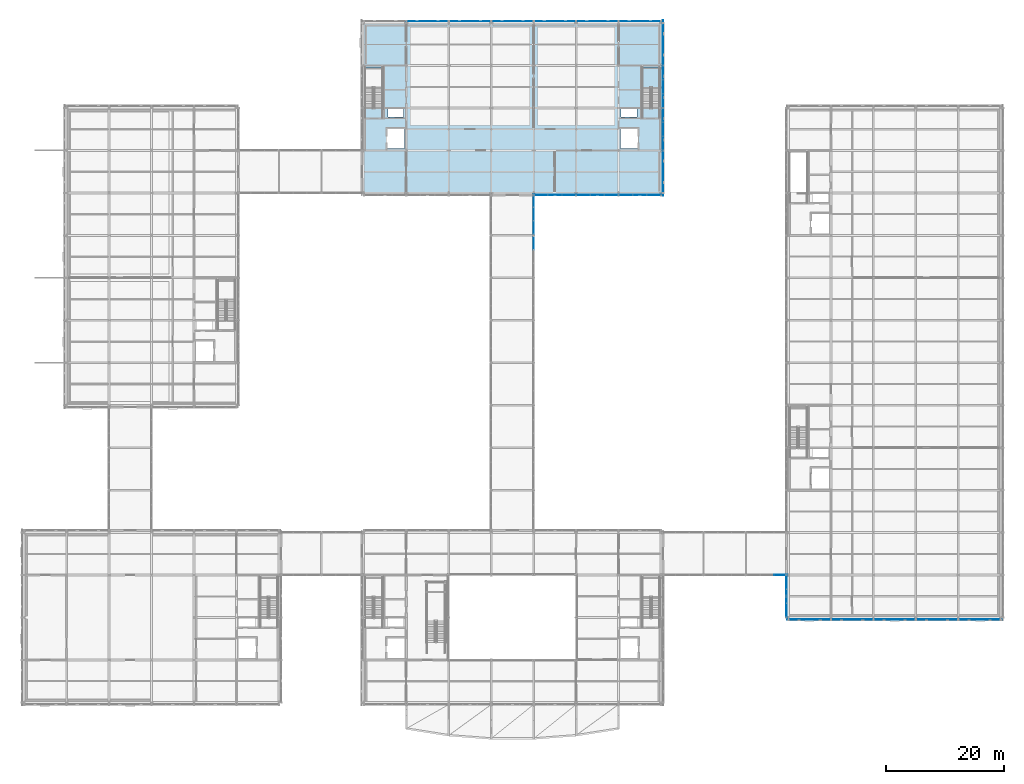
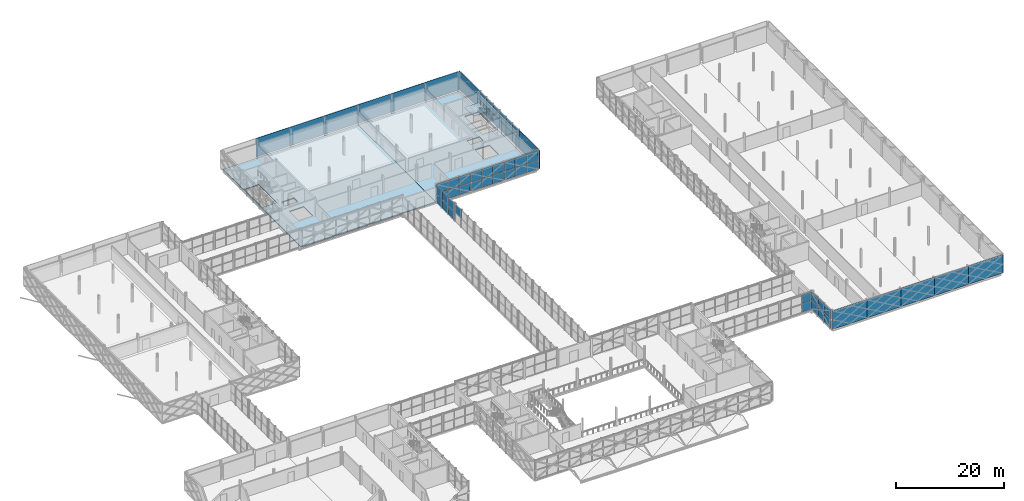
# One storey, part 94 of 146: 58 plates, 3 slabs, 10 elements without a shape of their own.
"""IFC4 building model written with IfcOpenShell, lengths in metres."""

from ifc_helpers import new_model, si_unit, direction, frame, origin, origin_2d, place, context, subcontext, project, spatial, polyline, rectangle, outline, extrude, material, layer, layer_set, type_object, element, aggregate, save


model = new_model("IFC4")

# Units and contexts
model_context = context("Model", 3, precision=1e-05, world=origin(), true_north=direction((0.0, 1.0)))
body_context = subcontext(model_context, "Body", "Model", "MODEL_VIEW")
ifc_project = project(units=[si_unit("LENGTHUNIT", "METRE"), si_unit("AREAUNIT", "SQUARE_METRE"), si_unit("VOLUMEUNIT", "CUBIC_METRE"), si_unit("PLANEANGLEUNIT", "RADIAN"), si_unit("MASSUNIT", "GRAM", prefix="KILO")], contexts=[model_context])

# Site, building, storey
site_placement = place(None, origin())
site = spatial("IfcSite", under=ifc_project, at=site_placement, CompositionType="ELEMENT")
building_placement = place(site_placement, origin())
building = spatial("IfcBuilding", under=site, at=building_placement, Name="Zlatovets Crest Museum", CompositionType="ELEMENT")
storey_placement = place(building_placement, frame((0.0, 0.0, 4.5)))
storey = spatial("IfcBuildingStorey", under=building, at=storey_placement, Name="L01", CompositionType="ELEMENT", Elevation=4.5)

# Curtain wall, plates
ifc_material_1 = material(Name="Bronze-anodised aluminium and low-E triple glass", Category="aluminium")
curtain_wall_type_1 = type_object("IfcCurtainWallType", Name="CW_CW-BR4-L01-S69", PredefinedType="NOTDEFINED", material=ifc_material_1)
curtain_wall_1_placement = place(storey_placement, origin())
curtain_wall_1 = element("IfcCurtainWall", 1, at=curtain_wall_1_placement, inside=storey, type_object=curtain_wall_type_1, Name="Southeast Archive Glazed Link Bridge L01 Glazed Bridge Curtain Wall", PredefinedType="NOTDEFINED")
ifc_material_2 = material(Name="Solar-control low-E laminated triple glass", Category="glass")
ifc_layer_1 = layer(ifc_material_2, 0.030029296875)
ifc_layer_set_1 = layer_set([ifc_layer_1], Name="Solar-control low-E laminated triple glass")
plate_type_1 = type_object("IfcPlateType", Name="CWPanel_CW-BR4-L01-S69", PredefinedType="CURTAIN_PANEL", material=ifc_layer_set_1)
plate_1_placement = place(storey_placement, frame((128.284912109375, 21.60009765625, 0.06005859375), z_axis=(0.0, 0.0, 1.0), x_axis=(1.0, 0.0, 0.0)))
plate_1 = element("IfcPlate", 2, at=plate_1_placement, type_object=plate_type_1, Name="CW-BR4-L01-S69 panel 3.1", PredefinedType="CURTAIN_PANEL", context=body_context, shape_type="SweptSolid", body=[
    extrude(rectangle(XDim=2.2099609375, YDim=0.030029296875, at=origin_2d()), origin(), (0.0, 0.0, 1.0), 1.89990234375),
])
plate_2_placement = place(storey_placement, frame((128.284912109375, 21.60009765625, 2.02001953125), z_axis=(0.0, 0.0, 1.0), x_axis=(1.0, 0.0, 0.0)))
plate_2 = element("IfcPlate", 3, at=plate_2_placement, type_object=plate_type_1, Name="CW-BR4-L01-S69 panel 3.2", PredefinedType="CURTAIN_PANEL", context=body_context, shape_type="SweptSolid", body=[
    extrude(rectangle(XDim=2.2099609375, YDim=0.030029296875, at=origin_2d()), origin(), (0.0, 0.0, 1.0), 1.89990234375),
])
aggregate(curtain_wall_1, [plate_1, plate_2])

# Curtain wall, plate
curtain_wall_type_2 = type_object("IfcCurtainWallType", Name="CW_CW-BR5-L01-S69", PredefinedType="NOTDEFINED", material=ifc_material_1)
curtain_wall_2_placement = place(storey_placement, origin())
curtain_wall_2 = element("IfcCurtainWall", 4, at=curtain_wall_2_placement, inside=storey, type_object=curtain_wall_type_2, Name="Central Sculpture Court Cloister and Skywalk L01 Glazed Bridge Curtain Wall", PredefinedType="NOTDEFINED")
ifc_layer_2 = layer(ifc_material_2, 0.030029296875)
ifc_layer_set_2 = layer_set([ifc_layer_2], Name="Solar-control low-E laminated triple glass")
plate_type_2 = type_object("IfcPlateType", Name="CWPanel_CW-BR5-L01-S69", PredefinedType="CURTAIN_PANEL", material=ifc_layer_set_2)
plate_3_placement = place(storey_placement, frame((86.39990234375, 77.885009765625, 2.02001953125), z_axis=(0.0, 0.0, 1.0), x_axis=(0.0, 1.0, 0.0)))
plate_3 = element("IfcPlate", 5, at=plate_3_placement, type_object=plate_type_2, Name="CW-BR5-L01-S69 panel 3.2", PredefinedType="CURTAIN_PANEL", context=body_context, shape_type="SweptSolid", body=[
    extrude(rectangle(XDim=2.2099609375, YDim=0.030029296875, at=origin_2d()), origin(), (0.0, 0.0, 1.0), 1.89990234375),
])
aggregate(curtain_wall_2, [plate_3])

# Curtain wall, plates
curtain_wall_3_placement = place(storey_placement, origin())
curtain_wall_3 = element("IfcCurtainWall", 6, at=curtain_wall_3_placement, inside=storey, type_object=curtain_wall_type_2, Name="Central Sculpture Court Cloister and Skywalk L01 Glazed Bridge Curtain Wall", PredefinedType="NOTDEFINED")
plate_4_placement = place(storey_placement, frame((86.39990234375, 80.514892578125, 0.06005859375), z_axis=(0.0, 0.0, 1.0), x_axis=(0.0, 1.0, 0.0)))
plate_4 = element("IfcPlate", 7, at=plate_4_placement, type_object=plate_type_2, Name="CW-BR5-L01-S69 panel 1.1", PredefinedType="CURTAIN_PANEL", context=body_context, shape_type="SweptSolid", body=[
    extrude(rectangle(XDim=2.2099609375, YDim=0.030029296875, at=origin_2d()), origin(), (0.0, 0.0, 1.0), 1.89990234375),
])
plate_5_placement = place(storey_placement, frame((86.39990234375, 80.514892578125, 2.02001953125), z_axis=(0.0, 0.0, 1.0), x_axis=(0.0, 1.0, 0.0)))
plate_5 = element("IfcPlate", 8, at=plate_5_placement, type_object=plate_type_2, Name="CW-BR5-L01-S69 panel 1.2", PredefinedType="CURTAIN_PANEL", context=body_context, shape_type="SweptSolid", body=[
    extrude(rectangle(XDim=2.2099609375, YDim=0.030029296875, at=origin_2d()), origin(), (0.0, 0.0, 1.0), 1.89990234375),
])
plate_6_placement = place(storey_placement, frame((86.39990234375, 82.800048828125, 0.06005859375), z_axis=(0.0, 0.0, 1.0), x_axis=(0.0, 1.0, 0.0)))
plate_6 = element("IfcPlate", 9, at=plate_6_placement, type_object=plate_type_2, Name="CW-BR5-L01-S69 panel 2.1", PredefinedType="CURTAIN_PANEL", context=body_context, shape_type="SweptSolid", body=[
    extrude(rectangle(XDim=2.239990234375, YDim=0.030029296875, at=origin_2d()), origin(), (0.0, 0.0, 1.0), 1.89990234375),
])
plate_7_placement = place(storey_placement, frame((86.39990234375, 82.800048828125, 2.02001953125), z_axis=(0.0, 0.0, 1.0), x_axis=(0.0, 1.0, 0.0)))
plate_7 = element("IfcPlate", 10, at=plate_7_placement, type_object=plate_type_2, Name="CW-BR5-L01-S69 panel 2.2", PredefinedType="CURTAIN_PANEL", context=body_context, shape_type="SweptSolid", body=[
    extrude(rectangle(XDim=2.239990234375, YDim=0.030029296875, at=origin_2d()), origin(), (0.0, 0.0, 1.0), 1.89990234375),
])
plate_8_placement = place(storey_placement, frame((86.39990234375, 85.0849609375, 0.06005859375), z_axis=(0.0, 0.0, 1.0), x_axis=(0.0, 1.0, 0.0)))
plate_8 = element("IfcPlate", 11, at=plate_8_placement, type_object=plate_type_2, Name="CW-BR5-L01-S69 panel 3.1", PredefinedType="CURTAIN_PANEL", context=body_context, shape_type="SweptSolid", body=[
    extrude(rectangle(XDim=2.2099609375, YDim=0.030029296875, at=origin_2d()), origin(), (0.0, 0.0, 1.0), 1.89990234375),
])
plate_9_placement = place(storey_placement, frame((86.39990234375, 85.0849609375, 2.02001953125), z_axis=(0.0, 0.0, 1.0), x_axis=(0.0, 1.0, 0.0)))
plate_9 = element("IfcPlate", 12, at=plate_9_placement, type_object=plate_type_2, Name="CW-BR5-L01-S69 panel 3.2", PredefinedType="CURTAIN_PANEL", context=body_context, shape_type="SweptSolid", body=[
    extrude(rectangle(XDim=2.2099609375, YDim=0.030029296875, at=origin_2d()), origin(), (0.0, 0.0, 1.0), 1.89990234375),
])
aggregate(curtain_wall_3, [plate_4, plate_5, plate_6, plate_7, plate_8, plate_9])

curtain_wall_type_3 = type_object("IfcCurtainWallType", Name="CW_CW-V1-L01-M0", PredefinedType="NOTDEFINED", material=ifc_material_1)
curtain_wall_4_placement = place(storey_placement, origin())
curtain_wall_4 = element("IfcCurtainWall", 13, at=curtain_wall_4_placement, inside=storey, type_object=curtain_wall_type_3, Name="V1 L01 Secession Foyer Clear Curtain Wall", PredefinedType="NOTDEFINED")
ifc_layer_3 = layer(ifc_material_2, 0.028076171875)
ifc_layer_set_3 = layer_set([ifc_layer_3], Name="Solar-control low-E laminated triple glass")
plate_type_3 = type_object("IfcPlateType", Name="CWPanel_CW-V1-L01-M0", PredefinedType="CURTAIN_PANEL", material=ifc_layer_set_3)
plate_10_placement = place(storey_placement, frame((87.614990234375, 86.06005859375, 0.06005859375), z_axis=(0.0, 0.0, 1.0), x_axis=(1.0, 0.0, 0.0)))
plate_10 = element("IfcPlate", 14, at=plate_10_placement, type_object=plate_type_3, Name="CW-V1-L01-M0 panel 1.1", PredefinedType="CURTAIN_PANEL", context=body_context, shape_type="SweptSolid", body=[
    extrude(rectangle(XDim=2.31005859375, YDim=0.028076171875, at=origin_2d()), origin(), (0.0, 0.0, 1.0), 2.010009765625),
])
plate_11_placement = place(storey_placement, frame((87.614990234375, 86.06005859375, 2.1298828125), z_axis=(0.0, 0.0, 1.0), x_axis=(1.0, 0.0, 0.0)))
plate_11 = element("IfcPlate", 15, at=plate_11_placement, type_object=plate_type_3, Name="CW-V1-L01-M0 panel 1.2", PredefinedType="CURTAIN_PANEL", context=body_context, shape_type="SweptSolid", body=[
    extrude(rectangle(XDim=2.31005859375, YDim=0.028076171875, at=origin_2d()), origin(), (0.0, 0.0, 1.0), 2.010009765625),
])
plate_12_placement = place(storey_placement, frame((90.0, 86.06005859375, 0.06005859375), z_axis=(0.0, 0.0, 1.0), x_axis=(1.0, 0.0, 0.0)))
plate_12 = element("IfcPlate", 16, at=plate_12_placement, type_object=plate_type_3, Name="CW-V1-L01-M0 panel 2.1", PredefinedType="CURTAIN_PANEL", context=body_context, shape_type="SweptSolid", body=[
    extrude(rectangle(XDim=2.340087890625, YDim=0.028076171875, at=origin_2d()), origin(), (0.0, 0.0, 1.0), 2.010009765625),
])
plate_13_placement = place(storey_placement, frame((90.0, 86.06005859375, 2.1298828125), z_axis=(0.0, 0.0, 1.0), x_axis=(1.0, 0.0, 0.0)))
plate_13 = element("IfcPlate", 17, at=plate_13_placement, type_object=plate_type_3, Name="CW-V1-L01-M0 panel 2.2", PredefinedType="CURTAIN_PANEL", context=body_context, shape_type="SweptSolid", body=[
    extrude(rectangle(XDim=2.340087890625, YDim=0.028076171875, at=origin_2d()), origin(), (0.0, 0.0, 1.0), 2.010009765625),
])
plate_14_placement = place(storey_placement, frame((92.385009765625, 86.06005859375, 0.06005859375), z_axis=(0.0, 0.0, 1.0), x_axis=(1.0, 0.0, 0.0)))
plate_14 = element("IfcPlate", 18, at=plate_14_placement, type_object=plate_type_3, Name="CW-V1-L01-M0 panel 3.1", PredefinedType="CURTAIN_PANEL", context=body_context, shape_type="SweptSolid", body=[
    extrude(rectangle(XDim=2.31005859375, YDim=0.028076171875, at=origin_2d()), origin(), (0.0, 0.0, 1.0), 2.010009765625),
])
plate_15_placement = place(storey_placement, frame((92.385009765625, 86.06005859375, 2.1298828125), z_axis=(0.0, 0.0, 1.0), x_axis=(1.0, 0.0, 0.0)))
plate_15 = element("IfcPlate", 19, at=plate_15_placement, type_object=plate_type_3, Name="CW-V1-L01-M0 panel 3.2", PredefinedType="CURTAIN_PANEL", context=body_context, shape_type="SweptSolid", body=[
    extrude(rectangle(XDim=2.31005859375, YDim=0.028076171875, at=origin_2d()), origin(), (0.0, 0.0, 1.0), 2.010009765625),
])
aggregate(curtain_wall_4, [plate_10, plate_11, plate_12, plate_13, plate_14, plate_15])

curtain_wall_5_placement = place(storey_placement, origin())
curtain_wall_5 = element("IfcCurtainWall", 20, at=curtain_wall_5_placement, inside=storey, type_object=curtain_wall_type_3, Name="V1 L01 Expressed Core Glazed Facade", PredefinedType="NOTDEFINED")
plate_16_placement = place(storey_placement, frame((108.340087890625, 94.81494140625, 0.06005859375), z_axis=(0.0, 0.0, 1.0), x_axis=(0.0, 1.0, 0.0)))
plate_16 = element("IfcPlate", 21, at=plate_16_placement, type_object=plate_type_3, Name="CW-V1-L01-M0 panel 1.1", PredefinedType="CURTAIN_PANEL", context=body_context, shape_type="SweptSolid", body=[
    extrude(rectangle(XDim=2.31005859375, YDim=0.030029296875, at=origin_2d()), origin(), (0.0, 0.0, 1.0), 2.010009765625),
])
plate_17_placement = place(storey_placement, frame((108.340087890625, 94.81494140625, 2.1298828125), z_axis=(0.0, 0.0, 1.0), x_axis=(0.0, 1.0, 0.0)))
plate_17 = element("IfcPlate", 22, at=plate_17_placement, type_object=plate_type_3, Name="CW-V1-L01-M0 panel 1.2", PredefinedType="CURTAIN_PANEL", context=body_context, shape_type="SweptSolid", body=[
    extrude(rectangle(XDim=2.31005859375, YDim=0.030029296875, at=origin_2d()), origin(), (0.0, 0.0, 1.0), 2.010009765625),
])
plate_18_placement = place(storey_placement, frame((108.340087890625, 97.199951171875, 0.06005859375), z_axis=(0.0, 0.0, 1.0), x_axis=(0.0, 1.0, 0.0)))
plate_18 = element("IfcPlate", 23, at=plate_18_placement, type_object=plate_type_3, Name="CW-V1-L01-M0 panel 2.1", PredefinedType="CURTAIN_PANEL", context=body_context, shape_type="SweptSolid", body=[
    extrude(rectangle(XDim=2.340087890625, YDim=0.030029296875, at=origin_2d()), origin(), (0.0, 0.0, 1.0), 2.010009765625),
])
plate_19_placement = place(storey_placement, frame((108.340087890625, 97.199951171875, 2.1298828125), z_axis=(0.0, 0.0, 1.0), x_axis=(0.0, 1.0, 0.0)))
plate_19 = element("IfcPlate", 24, at=plate_19_placement, type_object=plate_type_3, Name="CW-V1-L01-M0 panel 2.2", PredefinedType="CURTAIN_PANEL", context=body_context, shape_type="SweptSolid", body=[
    extrude(rectangle(XDim=2.340087890625, YDim=0.030029296875, at=origin_2d()), origin(), (0.0, 0.0, 1.0), 2.010009765625),
])
plate_20_placement = place(storey_placement, frame((108.340087890625, 99.5849609375, 0.06005859375), z_axis=(0.0, 0.0, 1.0), x_axis=(0.0, 1.0, 0.0)))
plate_20 = element("IfcPlate", 25, at=plate_20_placement, type_object=plate_type_3, Name="CW-V1-L01-M0 panel 3.1", PredefinedType="CURTAIN_PANEL", context=body_context, shape_type="SweptSolid", body=[
    extrude(rectangle(XDim=2.31005859375, YDim=0.030029296875, at=origin_2d()), origin(), (0.0, 0.0, 1.0), 2.010009765625),
])
plate_21_placement = place(storey_placement, frame((108.340087890625, 99.5849609375, 2.1298828125), z_axis=(0.0, 0.0, 1.0), x_axis=(0.0, 1.0, 0.0)))
plate_21 = element("IfcPlate", 26, at=plate_21_placement, type_object=plate_type_3, Name="CW-V1-L01-M0 panel 3.2", PredefinedType="CURTAIN_PANEL", context=body_context, shape_type="SweptSolid", body=[
    extrude(rectangle(XDim=2.31005859375, YDim=0.030029296875, at=origin_2d()), origin(), (0.0, 0.0, 1.0), 2.010009765625),
])
aggregate(curtain_wall_5, [plate_16, plate_17, plate_18, plate_19, plate_20, plate_21])

curtain_wall_type_4 = type_object("IfcCurtainWallType", Name="CW_CW-V1-L01-M1", PredefinedType="NOTDEFINED", material=ifc_material_1)
curtain_wall_6_placement = place(storey_placement, origin())
curtain_wall_6 = element("IfcCurtainWall", 27, at=curtain_wall_6_placement, inside=storey, type_object=curtain_wall_type_4, Name="V1 L01 Secession Foyer Clear Curtain Wall", PredefinedType="NOTDEFINED")
ifc_layer_4 = layer(ifc_material_2, 0.031982421875)
ifc_layer_set_4 = layer_set([ifc_layer_4], Name="Solar-control low-E laminated triple glass")
plate_type_4 = type_object("IfcPlateType", Name="CWPanel_CW-V1-L01-M1", PredefinedType="CURTAIN_PANEL", material=ifc_layer_set_4)
plate_22_placement = place(storey_placement, frame((94.81494140625, 86.06005859375, 0.06005859375), z_axis=(0.0, 0.0, 1.0), x_axis=(1.0, 0.0, 0.0)))
plate_22 = element("IfcPlate", 28, at=plate_22_placement, type_object=plate_type_4, Name="CW-V1-L01-M1 panel 1.1", PredefinedType="CURTAIN_PANEL", context=body_context, shape_type="SweptSolid", body=[
    extrude(rectangle(XDim=2.31005859375, YDim=0.031982421875, at=origin_2d()), origin(), (0.0, 0.0, 1.0), 2.010009765625),
])
plate_23_placement = place(storey_placement, frame((94.81494140625, 86.06005859375, 2.1298828125), z_axis=(0.0, 0.0, 1.0), x_axis=(1.0, 0.0, 0.0)))
plate_23 = element("IfcPlate", 29, at=plate_23_placement, type_object=plate_type_4, Name="CW-V1-L01-M1 panel 1.2", PredefinedType="CURTAIN_PANEL", context=body_context, shape_type="SweptSolid", body=[
    extrude(rectangle(XDim=2.31005859375, YDim=0.031982421875, at=origin_2d()), origin(), (0.0, 0.0, 1.0), 2.010009765625),
])
plate_24_placement = place(storey_placement, frame((97.199951171875, 86.06005859375, 0.06005859375), z_axis=(0.0, 0.0, 1.0), x_axis=(1.0, 0.0, 0.0)))
plate_24 = element("IfcPlate", 30, at=plate_24_placement, type_object=plate_type_4, Name="CW-V1-L01-M1 panel 2.1", PredefinedType="CURTAIN_PANEL", context=body_context, shape_type="SweptSolid", body=[
    extrude(rectangle(XDim=2.340087890625, YDim=0.031982421875, at=origin_2d()), origin(), (0.0, 0.0, 1.0), 2.010009765625),
])
plate_25_placement = place(storey_placement, frame((97.199951171875, 86.06005859375, 2.1298828125), z_axis=(0.0, 0.0, 1.0), x_axis=(1.0, 0.0, 0.0)))
plate_25 = element("IfcPlate", 31, at=plate_25_placement, type_object=plate_type_4, Name="CW-V1-L01-M1 panel 2.2", PredefinedType="CURTAIN_PANEL", context=body_context, shape_type="SweptSolid", body=[
    extrude(rectangle(XDim=2.340087890625, YDim=0.031982421875, at=origin_2d()), origin(), (0.0, 0.0, 1.0), 2.010009765625),
])
plate_26_placement = place(storey_placement, frame((99.5849609375, 86.06005859375, 0.06005859375), z_axis=(0.0, 0.0, 1.0), x_axis=(1.0, 0.0, 0.0)))
plate_26 = element("IfcPlate", 32, at=plate_26_placement, type_object=plate_type_4, Name="CW-V1-L01-M1 panel 3.1", PredefinedType="CURTAIN_PANEL", context=body_context, shape_type="SweptSolid", body=[
    extrude(rectangle(XDim=2.31005859375, YDim=0.031982421875, at=origin_2d()), origin(), (0.0, 0.0, 1.0), 2.010009765625),
])
plate_27_placement = place(storey_placement, frame((99.5849609375, 86.06005859375, 2.1298828125), z_axis=(0.0, 0.0, 1.0), x_axis=(1.0, 0.0, 0.0)))
plate_27 = element("IfcPlate", 33, at=plate_27_placement, type_object=plate_type_4, Name="CW-V1-L01-M1 panel 3.2", PredefinedType="CURTAIN_PANEL", context=body_context, shape_type="SweptSolid", body=[
    extrude(rectangle(XDim=2.31005859375, YDim=0.031982421875, at=origin_2d()), origin(), (0.0, 0.0, 1.0), 2.010009765625),
])
aggregate(curtain_wall_6, [plate_22, plate_23, plate_24, plate_25, plate_26, plate_27])

curtain_wall_7_placement = place(storey_placement, origin())
curtain_wall_7 = element("IfcCurtainWall", 34, at=curtain_wall_7_placement, inside=storey, type_object=curtain_wall_type_4, Name="V1 L01 Expressed Core Glazed Facade", PredefinedType="NOTDEFINED")
plate_28_placement = place(storey_placement, frame((108.340087890625, 102.014892578125, 0.06005859375), z_axis=(0.0, 0.0, 1.0), x_axis=(0.0, 1.0, 0.0)))
plate_28 = element("IfcPlate", 35, at=plate_28_placement, type_object=plate_type_4, Name="CW-V1-L01-M1 panel 1.1", PredefinedType="CURTAIN_PANEL", context=body_context, shape_type="SweptSolid", body=[
    extrude(rectangle(XDim=2.31005859375, YDim=0.030029296875, at=origin_2d()), origin(), (0.0, 0.0, 1.0), 2.010009765625),
])
plate_29_placement = place(storey_placement, frame((108.340087890625, 102.014892578125, 2.1298828125), z_axis=(0.0, 0.0, 1.0), x_axis=(0.0, 1.0, 0.0)))
plate_29 = element("IfcPlate", 36, at=plate_29_placement, type_object=plate_type_4, Name="CW-V1-L01-M1 panel 1.2", PredefinedType="CURTAIN_PANEL", context=body_context, shape_type="SweptSolid", body=[
    extrude(rectangle(XDim=2.31005859375, YDim=0.030029296875, at=origin_2d()), origin(), (0.0, 0.0, 1.0), 2.010009765625),
])
plate_30_placement = place(storey_placement, frame((108.340087890625, 104.39990234375, 0.06005859375), z_axis=(0.0, 0.0, 1.0), x_axis=(0.0, 1.0, 0.0)))
plate_30 = element("IfcPlate", 37, at=plate_30_placement, type_object=plate_type_4, Name="CW-V1-L01-M1 panel 2.1", PredefinedType="CURTAIN_PANEL", context=body_context, shape_type="SweptSolid", body=[
    extrude(rectangle(XDim=2.340087890625, YDim=0.030029296875, at=origin_2d()), origin(), (0.0, 0.0, 1.0), 2.010009765625),
])
plate_31_placement = place(storey_placement, frame((108.340087890625, 104.39990234375, 2.1298828125), z_axis=(0.0, 0.0, 1.0), x_axis=(0.0, 1.0, 0.0)))
plate_31 = element("IfcPlate", 38, at=plate_31_placement, type_object=plate_type_4, Name="CW-V1-L01-M1 panel 2.2", PredefinedType="CURTAIN_PANEL", context=body_context, shape_type="SweptSolid", body=[
    extrude(rectangle(XDim=2.340087890625, YDim=0.030029296875, at=origin_2d()), origin(), (0.0, 0.0, 1.0), 2.010009765625),
])
plate_32_placement = place(storey_placement, frame((108.340087890625, 106.784912109375, 0.06005859375), z_axis=(0.0, 0.0, 1.0), x_axis=(0.0, 1.0, 0.0)))
plate_32 = element("IfcPlate", 39, at=plate_32_placement, type_object=plate_type_4, Name="CW-V1-L01-M1 panel 3.1", PredefinedType="CURTAIN_PANEL", context=body_context, shape_type="SweptSolid", body=[
    extrude(rectangle(XDim=2.31005859375, YDim=0.030029296875, at=origin_2d()), origin(), (0.0, 0.0, 1.0), 2.010009765625),
])
plate_33_placement = place(storey_placement, frame((108.340087890625, 106.784912109375, 2.1298828125), z_axis=(0.0, 0.0, 1.0), x_axis=(0.0, 1.0, 0.0)))
plate_33 = element("IfcPlate", 40, at=plate_33_placement, type_object=plate_type_4, Name="CW-V1-L01-M1 panel 3.2", PredefinedType="CURTAIN_PANEL", context=body_context, shape_type="SweptSolid", body=[
    extrude(rectangle(XDim=2.31005859375, YDim=0.030029296875, at=origin_2d()), origin(), (0.0, 0.0, 1.0), 2.010009765625),
])
aggregate(curtain_wall_7, [plate_28, plate_29, plate_30, plate_31, plate_32, plate_33])

curtain_wall_type_5 = type_object("IfcCurtainWallType", Name="CW_CW-V1-L01-M2", PredefinedType="NOTDEFINED", material=ifc_material_1)
curtain_wall_8_placement = place(storey_placement, origin())
curtain_wall_8 = element("IfcCurtainWall", 41, at=curtain_wall_8_placement, inside=storey, type_object=curtain_wall_type_5, Name="V1 L01 Secession Foyer Clear Curtain Wall", PredefinedType="NOTDEFINED")
ifc_layer_5 = layer(ifc_material_2, 0.035888671875)
ifc_layer_set_5 = layer_set([ifc_layer_5], Name="Solar-control low-E laminated triple glass")
plate_type_5 = type_object("IfcPlateType", Name="CWPanel_CW-V1-L01-M2", PredefinedType="CURTAIN_PANEL", material=ifc_layer_set_5)
plate_34_placement = place(storey_placement, frame((102.014892578125, 86.06005859375, 0.06005859375), z_axis=(0.0, 0.0, 1.0), x_axis=(1.0, 0.0, 0.0)))
plate_34 = element("IfcPlate", 42, at=plate_34_placement, type_object=plate_type_5, Name="CW-V1-L01-M2 panel 1.1", PredefinedType="CURTAIN_PANEL", context=body_context, shape_type="SweptSolid", body=[
    extrude(rectangle(XDim=2.31005859375, YDim=0.035888671875, at=origin_2d()), origin(), (0.0, 0.0, 1.0), 2.010009765625),
])
plate_35_placement = place(storey_placement, frame((102.014892578125, 86.06005859375, 2.1298828125), z_axis=(0.0, 0.0, 1.0), x_axis=(1.0, 0.0, 0.0)))
plate_35 = element("IfcPlate", 43, at=plate_35_placement, type_object=plate_type_5, Name="CW-V1-L01-M2 panel 1.2", PredefinedType="CURTAIN_PANEL", context=body_context, shape_type="SweptSolid", body=[
    extrude(rectangle(XDim=2.31005859375, YDim=0.035888671875, at=origin_2d()), origin(), (0.0, 0.0, 1.0), 2.010009765625),
])
plate_36_placement = place(storey_placement, frame((104.39990234375, 86.06005859375, 0.06005859375), z_axis=(0.0, 0.0, 1.0), x_axis=(1.0, 0.0, 0.0)))
plate_36 = element("IfcPlate", 44, at=plate_36_placement, type_object=plate_type_5, Name="CW-V1-L01-M2 panel 2.1", PredefinedType="CURTAIN_PANEL", context=body_context, shape_type="SweptSolid", body=[
    extrude(rectangle(XDim=2.340087890625, YDim=0.035888671875, at=origin_2d()), origin(), (0.0, 0.0, 1.0), 2.010009765625),
])
plate_37_placement = place(storey_placement, frame((104.39990234375, 86.06005859375, 2.1298828125), z_axis=(0.0, 0.0, 1.0), x_axis=(1.0, 0.0, 0.0)))
plate_37 = element("IfcPlate", 45, at=plate_37_placement, type_object=plate_type_5, Name="CW-V1-L01-M2 panel 2.2", PredefinedType="CURTAIN_PANEL", context=body_context, shape_type="SweptSolid", body=[
    extrude(rectangle(XDim=2.340087890625, YDim=0.035888671875, at=origin_2d()), origin(), (0.0, 0.0, 1.0), 2.010009765625),
])
plate_38_placement = place(storey_placement, frame((106.784912109375, 86.06005859375, 0.06005859375), z_axis=(0.0, 0.0, 1.0), x_axis=(1.0, 0.0, 0.0)))
plate_38 = element("IfcPlate", 46, at=plate_38_placement, type_object=plate_type_5, Name="CW-V1-L01-M2 panel 3.1", PredefinedType="CURTAIN_PANEL", context=body_context, shape_type="SweptSolid", body=[
    extrude(rectangle(XDim=2.31005859375, YDim=0.035888671875, at=origin_2d()), origin(), (0.0, 0.0, 1.0), 2.010009765625),
])
plate_39_placement = place(storey_placement, frame((106.784912109375, 86.06005859375, 2.1298828125), z_axis=(0.0, 0.0, 1.0), x_axis=(1.0, 0.0, 0.0)))
plate_39 = element("IfcPlate", 47, at=plate_39_placement, type_object=plate_type_5, Name="CW-V1-L01-M2 panel 3.2", PredefinedType="CURTAIN_PANEL", context=body_context, shape_type="SweptSolid", body=[
    extrude(rectangle(XDim=2.31005859375, YDim=0.035888671875, at=origin_2d()), origin(), (0.0, 0.0, 1.0), 2.010009765625),
])
aggregate(curtain_wall_8, [plate_34, plate_35, plate_36, plate_37, plate_38, plate_39])

curtain_wall_type_6 = type_object("IfcCurtainWallType", Name="CW_CW-V5-L01-M1", PredefinedType="NOTDEFINED", material=ifc_material_1)
curtain_wall_9_placement = place(storey_placement, origin())
curtain_wall_9 = element("IfcCurtainWall", 48, at=curtain_wall_9_placement, inside=storey, type_object=curtain_wall_type_6, Name="V5 L01 Secession Foyer Clear Curtain Wall", PredefinedType="NOTDEFINED")
ifc_layer_6 = layer(ifc_material_2, 0.031982421875)
ifc_layer_set_6 = layer_set([ifc_layer_6], Name="Solar-control low-E laminated triple glass")
plate_type_6 = type_object("IfcPlateType", Name="CWPanel_CW-V5-L01-M1", PredefinedType="CURTAIN_PANEL", material=ifc_layer_set_6)
plate_40_placement = place(storey_placement, frame((129.260009765625, 20.385009765625, 0.06005859375), z_axis=(0.0, 0.0, 1.0), x_axis=(0.0, -1.0, 0.0)))
plate_40 = element("IfcPlate", 49, at=plate_40_placement, type_object=plate_type_6, Name="CW-V5-L01-M1 panel 1.1", PredefinedType="CURTAIN_PANEL", context=body_context, shape_type="SweptSolid", body=[
    extrude(rectangle(XDim=2.31005859375, YDim=0.031982421875, at=origin_2d()), origin(), (0.0, 0.0, 1.0), 2.010009765625),
])
plate_41_placement = place(storey_placement, frame((129.260009765625, 20.385009765625, 2.1298828125), z_axis=(0.0, 0.0, 1.0), x_axis=(0.0, -1.0, 0.0)))
plate_41 = element("IfcPlate", 50, at=plate_41_placement, type_object=plate_type_6, Name="CW-V5-L01-M1 panel 1.2", PredefinedType="CURTAIN_PANEL", context=body_context, shape_type="SweptSolid", body=[
    extrude(rectangle(XDim=2.31005859375, YDim=0.031982421875, at=origin_2d()), origin(), (0.0, 0.0, 1.0), 2.010009765625),
])
plate_42_placement = place(storey_placement, frame((129.260009765625, 18.0, 0.06005859375), z_axis=(0.0, 0.0, 1.0), x_axis=(0.0, -1.0, 0.0)))
plate_42 = element("IfcPlate", 51, at=plate_42_placement, type_object=plate_type_6, Name="CW-V5-L01-M1 panel 2.1", PredefinedType="CURTAIN_PANEL", context=body_context, shape_type="SweptSolid", body=[
    extrude(rectangle(XDim=2.340087890625, YDim=0.031982421875, at=origin_2d()), origin(), (0.0, 0.0, 1.0), 2.010009765625),
])
plate_43_placement = place(storey_placement, frame((129.260009765625, 18.0, 2.1298828125), z_axis=(0.0, 0.0, 1.0), x_axis=(0.0, -1.0, 0.0)))
plate_43 = element("IfcPlate", 52, at=plate_43_placement, type_object=plate_type_6, Name="CW-V5-L01-M1 panel 2.2", PredefinedType="CURTAIN_PANEL", context=body_context, shape_type="SweptSolid", body=[
    extrude(rectangle(XDim=2.340087890625, YDim=0.031982421875, at=origin_2d()), origin(), (0.0, 0.0, 1.0), 2.010009765625),
])
plate_44_placement = place(storey_placement, frame((129.260009765625, 15.614990234375, 0.06005859375), z_axis=(0.0, 0.0, 1.0), x_axis=(0.0, -1.0, 0.0)))
plate_44 = element("IfcPlate", 53, at=plate_44_placement, type_object=plate_type_6, Name="CW-V5-L01-M1 panel 3.1", PredefinedType="CURTAIN_PANEL", context=body_context, shape_type="SweptSolid", body=[
    extrude(rectangle(XDim=2.31005859375, YDim=0.031982421875, at=origin_2d()), origin(), (0.0, 0.0, 1.0), 2.010009765625),
])
plate_45_placement = place(storey_placement, frame((129.260009765625, 15.614990234375, 2.1298828125), z_axis=(0.0, 0.0, 1.0), x_axis=(0.0, -1.0, 0.0)))
plate_45 = element("IfcPlate", 54, at=plate_45_placement, type_object=plate_type_6, Name="CW-V5-L01-M1 panel 3.2", PredefinedType="CURTAIN_PANEL", context=body_context, shape_type="SweptSolid", body=[
    extrude(rectangle(XDim=2.31005859375, YDim=0.031982421875, at=origin_2d()), origin(), (0.0, 0.0, 1.0), 2.010009765625),
])
aggregate(curtain_wall_9, [plate_40, plate_41, plate_42, plate_43, plate_44, plate_45])

# Plates
ifc_material_3 = material(Name="Ceramic-fritted low-E laminated architectural glass", Category="glass")
ifc_layer_7 = layer(ifc_material_3, 0.031982421875)
ifc_layer_set_7 = layer_set([ifc_layer_7], Name="Ceramic-fritted low-E laminated architectural glass")
plate_type_7 = type_object("IfcPlateType", Name="GlazedSpandrel_GSP1", PredefinedType="USERDEFINED", material=ifc_layer_set_7)
for number, where, z_axis, x_axis, name in (
    (55, (108.340087890625, 89.760009765625, 0.0), (0.0, 0.0, 1.0), (0.0, 1.0, 0.0), "V1 L01 Ceramic-Fritted Gallery Glass Skin"),
    (56, (108.340087890625, 111.840087890625, 0.0), (0.0, 0.0, 1.0), (0.0, 1.0, 0.0), "V1 L01 Ceramic-Fritted Gallery Glass Skin"),
):
    element("IfcPlate", number, at=place(storey_placement, frame(where, z_axis=z_axis, x_axis=x_axis)), inside=storey, type_object=plate_type_7, Name=name, ObjectType="GLAZED_SPANDREL", PredefinedType="USERDEFINED", context=body_context, shape_type="SweptSolid", body=[
        extrude(rectangle(XDim=7.679931640625, YDim=0.031982421875, at=origin_2d()), origin(), (0.0, 0.0, 1.0), 4.199951171875),
    ])
plate_46_placement = place(storey_placement, frame((104.5, 115.5400390625, 0.0), z_axis=(0.0, 0.0, 1.0), x_axis=(1.0, 0.0, 0.0)))
element("IfcPlate", 57, at=plate_46_placement, inside=storey, type_object=plate_type_7, Name="V1 L01 Ceramic-Fritted Gallery Glass Skin", ObjectType="GLAZED_SPANDREL", PredefinedType="USERDEFINED", context=body_context, shape_type="SweptSolid", body=[
    extrude(rectangle(XDim=7.39990234375, YDim=0.031982421875, at=origin_2d()), origin(), (0.0, 0.0, 1.0), 4.199951171875),
])
for number, where, z_axis, x_axis, name in (
    (58, (97.199951171875, 115.5400390625, 0.0), (0.0, 0.0, 1.0), (1.0, 0.0, 0.0), "V1 L01 Ceramic-Fritted Gallery Glass Skin"),
    (59, (90.0, 115.5400390625, 0.0), (0.0, 0.0, 1.0), (1.0, 0.0, 0.0), "V1 L01 Ceramic-Fritted Gallery Glass Skin"),
    (60, (82.800048828125, 115.5400390625, 0.0), (0.0, 0.0, 1.0), (1.0, 0.0, 0.0), "V1 L01 Ceramic-Fritted Gallery Glass Skin"),
    (61, (75.60009765625, 115.5400390625, 0.0), (0.0, 0.0, 1.0), (1.0, 0.0, 0.0), "V1 L01 Ceramic-Fritted Gallery Glass Skin"),
    (62, (68.39990234375, 115.5400390625, 0.0), (0.0, 0.0, 1.0), (1.0, 0.0, 0.0), "V1 L01 Ceramic-Fritted Gallery Glass Skin"),
):
    element("IfcPlate", number, at=place(storey_placement, frame(where, z_axis=z_axis, x_axis=x_axis)), inside=storey, type_object=plate_type_7, Name=name, ObjectType="GLAZED_SPANDREL", PredefinedType="USERDEFINED", context=body_context, shape_type="SweptSolid", body=[
        extrude(rectangle(XDim=7.199951171875, YDim=0.031982421875, at=origin_2d()), origin(), (0.0, 0.0, 1.0), 4.199951171875),
    ])
plate_47_placement = place(storey_placement, frame((133.10009765625, 14.06005859375, 0.0), z_axis=(0.0, 0.0, 1.0), x_axis=(1.0, 0.0, 0.0)))
element("IfcPlate", 63, at=plate_47_placement, inside=storey, type_object=plate_type_7, Name="V5 L01 Ceramic-Fritted Gallery Glass Skin", ObjectType="GLAZED_SPANDREL", PredefinedType="USERDEFINED", context=body_context, shape_type="SweptSolid", body=[
    extrude(rectangle(XDim=7.39990234375, YDim=0.031982421875, at=origin_2d()), origin(), (0.0, 0.0, 1.0), 4.199951171875),
])
for number, where, z_axis, x_axis, name in (
    (64, (140.39990234375, 14.06005859375, 0.0), (0.0, 0.0, 1.0), (1.0, 0.0, 0.0), "V5 L01 Ceramic-Fritted Gallery Glass Skin"),
    (65, (147.60009765625, 14.06005859375, 0.0), (0.0, 0.0, 1.0), (1.0, 0.0, 0.0), "V5 L01 Ceramic-Fritted Gallery Glass Skin"),
    (66, (154.800048828125, 14.06005859375, 0.0), (0.0, 0.0, 1.0), (1.0, 0.0, 0.0), "V5 L01 Ceramic-Fritted Gallery Glass Skin"),
):
    element("IfcPlate", number, at=place(storey_placement, frame(where, z_axis=z_axis, x_axis=x_axis)), inside=storey, type_object=plate_type_7, Name=name, ObjectType="GLAZED_SPANDREL", PredefinedType="USERDEFINED", context=body_context, shape_type="SweptSolid", body=[
        extrude(rectangle(XDim=7.199951171875, YDim=0.031982421875, at=origin_2d()), origin(), (0.0, 0.0, 1.0), 4.199951171875),
    ])
plate_48_placement = place(storey_placement, frame((162.10009765625, 14.06005859375, 0.0), z_axis=(0.0, 0.0, 1.0), x_axis=(1.0, 0.0, 0.0)))
element("IfcPlate", 67, at=plate_48_placement, inside=storey, type_object=plate_type_7, Name="V5 L01 Ceramic-Fritted Gallery Glass Skin", ObjectType="GLAZED_SPANDREL", PredefinedType="USERDEFINED", context=body_context, shape_type="SweptSolid", body=[
    extrude(rectangle(XDim=7.39990234375, YDim=0.031982421875, at=origin_2d()), origin(), (0.0, 0.0, 1.0), 4.199951171875),
])

# Slabs
ifc_material_4 = material(Name="Concrete C30/37", Category="concrete")
ifc_layer_8 = layer(ifc_material_4, 0.219970703125)
ifc_layer_set_8 = layer_set([ifc_layer_8], Name="Concrete C30/37")
slab_type_1 = type_object("IfcSlabType", Name="Slab_FS-02", PredefinedType="FLOOR", material=ifc_layer_set_8)
slab_1_placement = place(storey_placement, frame((0.0, 0.0, -0.219970703125)))
element("IfcSlab", 68, at=slab_1_placement, inside=storey, type_object=slab_type_1, Name="V1 L01 Structural Slab Panel 1", PredefinedType="FLOOR", context=body_context, shape_type="SweptSolid", body=[
    extrude(outline(polyline([(86.39990234375, 115.199951171875), (86.39990234375, 86.39990234375), (57.60009765625, 86.39990234375), (57.60009765625, 115.199951171875), (86.39990234375, 115.199951171875)]), holes=[polyline([(57.800048828125, 107.60009765625), (57.800048828125, 100.93994140625), (60.800048828125, 100.93994140625), (60.800048828125, 107.60009765625), (57.800048828125, 107.60009765625)]), polyline([(64.5, 93.89990234375), (64.5, 97.300048828125), (61.449951171875, 97.300048828125), (61.449951171875, 93.89990234375), (64.5, 93.89990234375)]), polyline([(61.699951171875, 99.25), (64.35009765625, 99.25), (64.35009765625, 100.60009765625), (61.699951171875, 100.60009765625), (61.699951171875, 99.25)])]), origin(), (0.0, 0.0, 1.0), 0.219970703125),
])
slab_2_placement = place(storey_placement, frame((0.0, 0.0, -0.219970703125)))
element("IfcSlab", 69, at=slab_2_placement, inside=storey, type_object=slab_type_1, Name="V1 L01 Structural Slab Panel 2", PredefinedType="FLOOR", context=body_context, shape_type="SweptSolid", body=[
    extrude(outline(polyline([(86.39990234375, 86.39990234375), (86.39990234375, 115.199951171875), (108.0, 115.199951171875), (108.0, 86.39990234375), (86.39990234375, 86.39990234375)]), holes=[polyline([(107.800048828125, 107.60009765625), (104.800048828125, 107.60009765625), (104.800048828125, 100.93994140625), (107.800048828125, 100.93994140625), (107.800048828125, 107.60009765625)]), polyline([(101.10009765625, 97.300048828125), (101.10009765625, 93.89990234375), (104.14990234375, 93.89990234375), (104.14990234375, 97.300048828125), (101.10009765625, 97.300048828125)]), polyline([(103.89990234375, 100.60009765625), (101.25, 100.60009765625), (101.25, 99.25), (103.89990234375, 99.25), (103.89990234375, 100.60009765625)])]), origin(), (0.0, 0.0, 1.0), 0.219970703125),
])

# Stair, slab
ifc_material_5 = material(Name="Concrete C35/45", Category="concrete")
stair_type = type_object("IfcStairType", Name="Stair_ST7-26R", PredefinedType="HALF_TURN_STAIR", material=ifc_material_5)
stair_placement = place(storey_placement, origin())
stair = element("IfcStair", 70, at=stair_placement, inside=storey, type_object=stair_type, Name="L01 Core C6 Escape Stair ST7", PredefinedType="HALF_TURN_STAIR")
ifc_layer_9 = layer(ifc_material_5, 0.199951171875)
ifc_layer_set_9 = layer_set([ifc_layer_9], Name="Concrete C35/45")
slab_type_2 = type_object("IfcSlabType", Name="StairLanding_SLD1", PredefinedType="LANDING", material=ifc_layer_set_9)
slab_3_placement = place(storey_placement, frame((0.0, 0.0, 1.89990234375)))
slab_3 = element("IfcSlab", 71, at=slab_3_placement, type_object=slab_type_2, Name="ST7 landing 1", PredefinedType="LANDING", context=body_context, shape_type="SweptSolid", body=[
    extrude(outline(polyline([(107.800048828125, 104.300048828125), (107.800048828125, 107.60009765625), (104.800048828125, 107.60009765625), (104.800048828125, 104.300048828125), (107.800048828125, 104.300048828125)])), origin(), (0.0, 0.0, 1.0), 0.2001953125),
])
aggregate(stair, [slab_3])

save(model, "model.ifc")
